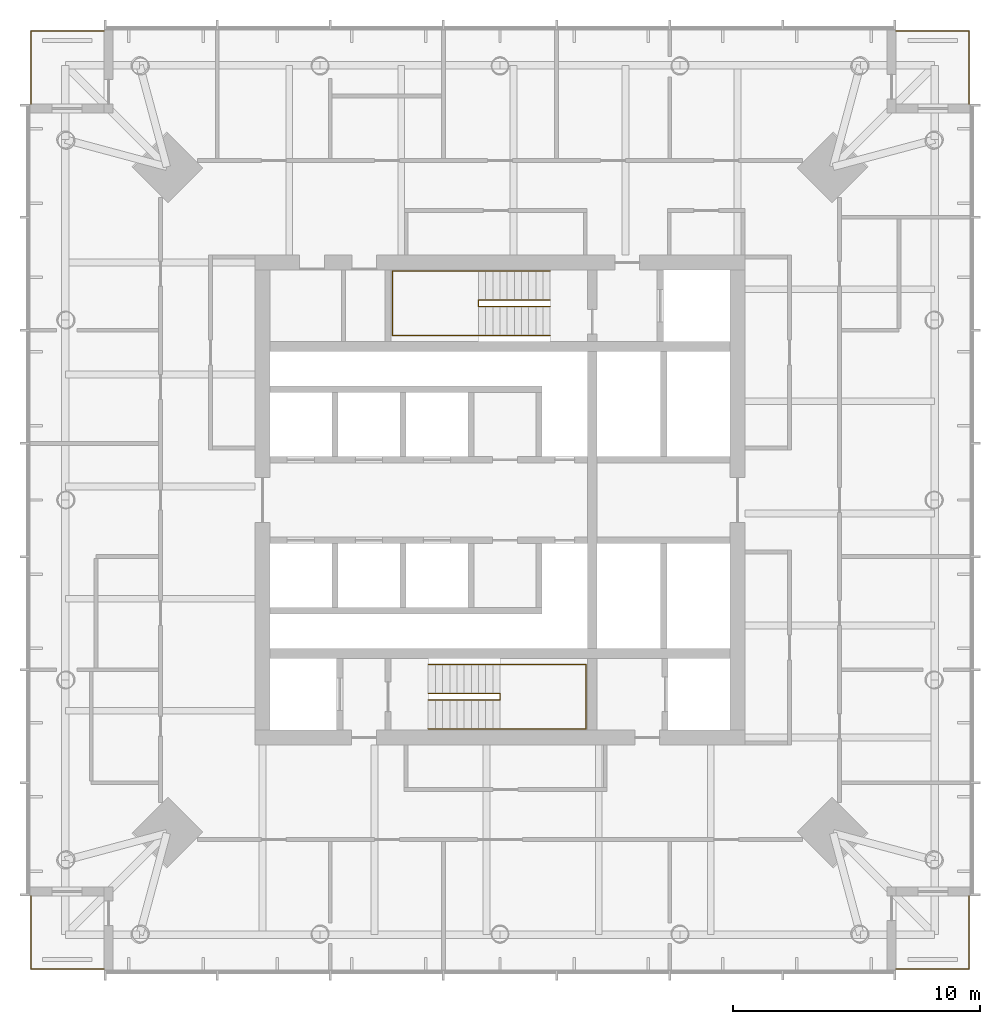
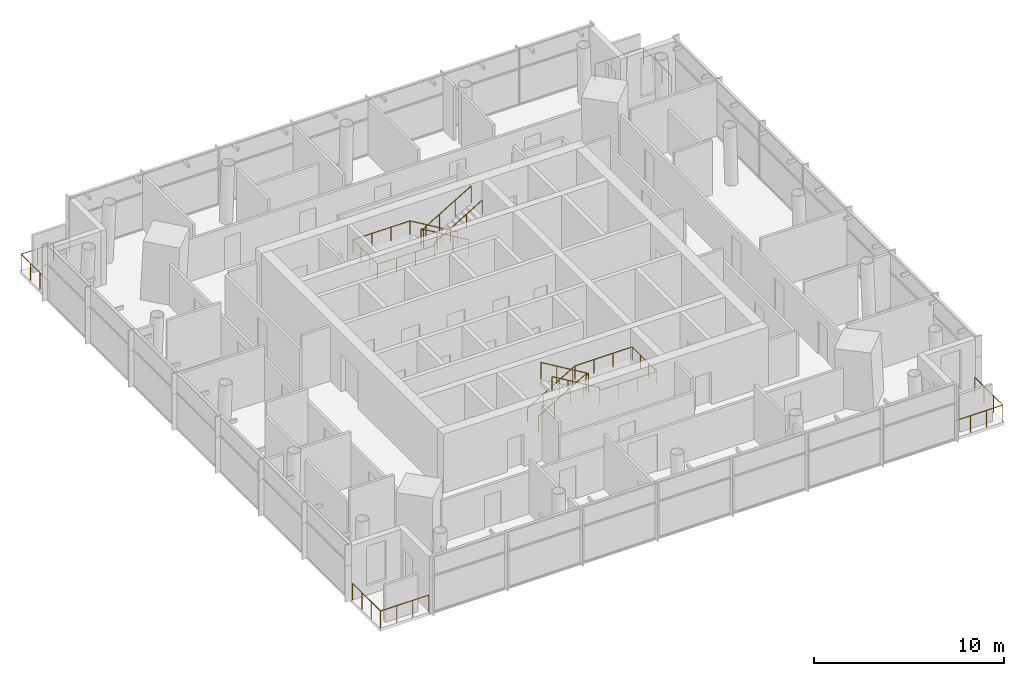
# One storey, part 10 of 10: 8 railings.
"""IFC4 building model written with IfcOpenShell, lengths in metres."""

from ifc_helpers import new_model, si_unit, direction, frame, origin, origin_2d, place, context, subcontext, project, spatial, circle, extrude, material, type_object, element, save


model = new_model("IFC4")

# Units and contexts
model_context = context("Model", 3, precision=1e-05, world=origin(), true_north=direction((0.0, 1.0)))
body_context = subcontext(model_context, "Body", "Model", "MODEL_VIEW")
ifc_project = project(units=[si_unit("LENGTHUNIT", "METRE"), si_unit("AREAUNIT", "SQUARE_METRE"), si_unit("VOLUMEUNIT", "CUBIC_METRE"), si_unit("PLANEANGLEUNIT", "RADIAN"), si_unit("MASSUNIT", "GRAM", prefix="KILO")], contexts=[model_context])

# Site, building, storey
site_placement = place(None, origin())
site = spatial("IfcSite", under=ifc_project, at=site_placement, CompositionType="ELEMENT")
building_placement = place(site_placement, origin())
building = spatial("IfcBuilding", under=site, at=building_placement, Name="Ostroluk Exchange", CompositionType="ELEMENT")
storey_placement = place(building_placement, frame((0.0, 0.0, 222.39990234375)))
storey = spatial("IfcBuildingStorey", under=building, at=storey_placement, Name="L57", CompositionType="ELEMENT", Elevation=222.39990234375)

# Railings
ifc_material_1 = material(Name="Stainless steel", Category="steel")
railing_type_1 = type_object("IfcRailingType", Name="Guard 1100 stainless steel", PredefinedType="GUARDRAIL", material=ifc_material_1)
railing_1_placement = place(storey_placement, frame((61.0, 27.050048828125, 0.0)))
element("IfcRailing", 1, at=railing_1_placement, inside=storey, type_object=railing_type_1, Name="Office tower SE balcony guard L57", PredefinedType="GUARDRAIL", context=body_context, shape_type="SweptSolid", body=[
    extrude(circle(Radius=0.02392578125, at=origin_2d()), frame((0.0, 0.0, 1.076171875), z_axis=(1.0, 0.0, 0.0), x_axis=(0.0, 1.0, 0.0)), (0.0, 0.0, 1.0), 2.949951171875),
    extrude(circle(Radius=0.02392578125, at=origin_2d()), frame((2.949951171875, 0.0, 1.076171875), z_axis=(0.0, 1.0, 0.0), x_axis=(-1.0, 0.0, 0.0)), (0.0, 0.0, 1.0), 2.949951171875),
    extrude(circle(Radius=0.02099609375, at=origin_2d()), origin(), (0.0, 0.0, 1.0), 1.052001953125),
    extrude(circle(Radius=0.02099609375, at=origin_2d()), frame((0.9833984375, 0.0, 0.0)), (0.0, 0.0, 1.0), 1.052001953125),
    extrude(circle(Radius=0.02099609375, at=origin_2d()), frame((1.966552734375, 0.0, 0.0)), (0.0, 0.0, 1.0), 1.052001953125),
    extrude(circle(Radius=0.02099609375, at=origin_2d()), frame((2.949951171875, 0.0, 0.0)), (0.0, 0.0, 1.0), 1.052001953125),
    extrude(circle(Radius=0.02099609375, at=origin_2d()), frame((2.949951171875, 0.9833984375, 0.0)), (0.0, 0.0, 1.0), 1.052001953125),
    extrude(circle(Radius=0.02099609375, at=origin_2d()), frame((2.949951171875, 1.966552734375, 0.0)), (0.0, 0.0, 1.0), 1.052001953125),
    extrude(circle(Radius=0.02099609375, at=origin_2d()), frame((2.949951171875, 2.949951171875, 0.0)), (0.0, 0.0, 1.0), 1.052001953125),
])
railing_2_placement = place(storey_placement, frame((61.0, 64.949951171875, 0.0)))
element("IfcRailing", 2, at=railing_2_placement, inside=storey, type_object=railing_type_1, Name="Office tower NE balcony guard L57", PredefinedType="GUARDRAIL", context=body_context, shape_type="SweptSolid", body=[
    extrude(circle(Radius=0.02392578125, at=origin_2d()), frame((0.0, 0.0, 1.076171875), z_axis=(1.0, 0.0, 0.0), x_axis=(0.0, 1.0, 0.0)), (0.0, 0.0, 1.0), 2.949951171875),
    extrude(circle(Radius=0.02392578125, at=origin_2d()), frame((2.949951171875, 0.0, 1.076171875), z_axis=(0.0, -1.0, 0.0), x_axis=(1.0, 0.0, 0.0)), (0.0, 0.0, 1.0), 2.949951171875),
    extrude(circle(Radius=0.02099609375, at=origin_2d()), origin(), (0.0, 0.0, 1.0), 1.052001953125),
    extrude(circle(Radius=0.02099609375, at=origin_2d()), frame((0.9833984375, 0.0, 0.0)), (0.0, 0.0, 1.0), 1.052001953125),
    extrude(circle(Radius=0.02099609375, at=origin_2d()), frame((1.966552734375, 0.0, 0.0)), (0.0, 0.0, 1.0), 1.052001953125),
    extrude(circle(Radius=0.02099609375, at=origin_2d()), frame((2.949951171875, 0.0, 0.0)), (0.0, 0.0, 1.0), 1.052001953125),
    extrude(circle(Radius=0.02099609375, at=origin_2d()), frame((2.949951171875, -0.9833984375, 0.0)), (0.0, 0.0, 1.0), 1.052001953125),
    extrude(circle(Radius=0.02099609375, at=origin_2d()), frame((2.949951171875, -1.966552734375, 0.0)), (0.0, 0.0, 1.0), 1.052001953125),
    extrude(circle(Radius=0.02099609375, at=origin_2d()), frame((2.949951171875, -2.949951171875, 0.0)), (0.0, 0.0, 1.0), 1.052001953125),
])
railing_3_placement = place(storey_placement, frame((29.0, 64.949951171875, 0.0)))
element("IfcRailing", 3, at=railing_3_placement, inside=storey, type_object=railing_type_1, Name="Office tower NW balcony guard L57", PredefinedType="GUARDRAIL", context=body_context, shape_type="SweptSolid", body=[
    extrude(circle(Radius=0.02392578125, at=origin_2d()), frame((0.0, 0.0, 1.076171875), z_axis=(-1.0, 0.0, 0.0), x_axis=(0.0, -1.0, 0.0)), (0.0, 0.0, 1.0), 2.949951171875),
    extrude(circle(Radius=0.02392578125, at=origin_2d()), frame((-2.949951171875, 0.0, 1.076171875), z_axis=(0.0, -1.0, 0.0), x_axis=(1.0, 0.0, 0.0)), (0.0, 0.0, 1.0), 2.949951171875),
    extrude(circle(Radius=0.02099609375, at=origin_2d()), origin(), (0.0, 0.0, 1.0), 1.052001953125),
    extrude(circle(Radius=0.02099609375, at=origin_2d()), frame((-0.9833984375, 0.0, 0.0)), (0.0, 0.0, 1.0), 1.052001953125),
    extrude(circle(Radius=0.02099609375, at=origin_2d()), frame((-1.966552734375, 0.0, 0.0)), (0.0, 0.0, 1.0), 1.052001953125),
    extrude(circle(Radius=0.02099609375, at=origin_2d()), frame((-2.949951171875, 0.0, 0.0)), (0.0, 0.0, 1.0), 1.052001953125),
    extrude(circle(Radius=0.02099609375, at=origin_2d()), frame((-2.949951171875, -0.9833984375, 0.0)), (0.0, 0.0, 1.0), 1.052001953125),
    extrude(circle(Radius=0.02099609375, at=origin_2d()), frame((-2.949951171875, -1.966552734375, 0.0)), (0.0, 0.0, 1.0), 1.052001953125),
    extrude(circle(Radius=0.02099609375, at=origin_2d()), frame((-2.949951171875, -2.949951171875, 0.0)), (0.0, 0.0, 1.0), 1.052001953125),
])
railing_4_placement = place(storey_placement, frame((29.0, 27.050048828125, 0.0)))
element("IfcRailing", 4, at=railing_4_placement, inside=storey, type_object=railing_type_1, Name="Office tower SW balcony guard L57", PredefinedType="GUARDRAIL", context=body_context, shape_type="SweptSolid", body=[
    extrude(circle(Radius=0.02392578125, at=origin_2d()), frame((0.0, 0.0, 1.076171875), z_axis=(-1.0, 0.0, 0.0), x_axis=(0.0, -1.0, 0.0)), (0.0, 0.0, 1.0), 2.949951171875),
    extrude(circle(Radius=0.02392578125, at=origin_2d()), frame((-2.949951171875, 0.0, 1.076171875), z_axis=(0.0, 1.0, 0.0), x_axis=(-1.0, 0.0, 0.0)), (0.0, 0.0, 1.0), 2.949951171875),
    extrude(circle(Radius=0.02099609375, at=origin_2d()), origin(), (0.0, 0.0, 1.0), 1.052001953125),
    extrude(circle(Radius=0.02099609375, at=origin_2d()), frame((-0.9833984375, 0.0, 0.0)), (0.0, 0.0, 1.0), 1.052001953125),
    extrude(circle(Radius=0.02099609375, at=origin_2d()), frame((-1.966552734375, 0.0, 0.0)), (0.0, 0.0, 1.0), 1.052001953125),
    extrude(circle(Radius=0.02099609375, at=origin_2d()), frame((-2.949951171875, 0.0, 0.0)), (0.0, 0.0, 1.0), 1.052001953125),
    extrude(circle(Radius=0.02099609375, at=origin_2d()), frame((-2.949951171875, 0.9833984375, 0.0)), (0.0, 0.0, 1.0), 1.052001953125),
    extrude(circle(Radius=0.02099609375, at=origin_2d()), frame((-2.949951171875, 1.966552734375, 0.0)), (0.0, 0.0, 1.0), 1.052001953125),
    extrude(circle(Radius=0.02099609375, at=origin_2d()), frame((-2.949951171875, 2.949951171875, 0.0)), (0.0, 0.0, 1.0), 1.052001953125),
])
ifc_material_2 = material(Name="Steel S355", Category="steel")
railing_type_2 = type_object("IfcRailingType", Name="Stair guard 1100", PredefinedType="GUARDRAIL", material=ifc_material_2)
railing_5_placement = place(storey_placement, frame((42.10009765625, 38.179931640625, 0.1728515625)))
element("IfcRailing", 5, at=railing_5_placement, inside=storey, type_object=railing_type_2, Name="Stair T1-S1 guard L57", PredefinedType="GUARDRAIL", context=body_context, shape_type="SweptSolid", body=[
    extrude(circle(Radius=0.02392578125, at=origin_2d()), frame((0.0, 0.0, 1.076171875), z_axis=(0.859141464434, 0.0, 0.511738159696), x_axis=(0.0, 1.0, 0.0)), (0.0, 0.0, 1.0), 3.375244140625),
    extrude(circle(Radius=0.02392578125, at=origin_2d()), frame((2.89990234375, 0.0, 2.80322265625), z_axis=(0.0, -1.0, 0.0), x_axis=(1.0, 0.0, 0.0)), (0.0, 0.0, 1.0), 0.260009765625),
    extrude(circle(Radius=0.02392578125, at=origin_2d()), frame((2.89990234375, -0.260009765625, 2.80322265625), z_axis=(0.0, 0.0, 1.0), x_axis=(1.0, 0.0, 0.0)), (0.0, 0.0, 1.0), 0.172607421875),
    extrude(circle(Radius=0.02392578125, at=origin_2d()), frame((2.89990234375, -0.260009765625, 2.97607421875), z_axis=(-0.859141464434, 0.0, 0.511738159696), x_axis=(0.0, -1.0, 0.0)), (0.0, 0.0, 1.0), 3.375244140625),
    extrude(circle(Radius=0.02099609375, at=origin_2d()), origin(), (0.0, 0.0, 1.0), 1.052001953125),
    extrude(circle(Radius=0.02099609375, at=origin_2d()), frame((0.966552734375, 0.0, 0.57568359375)), (0.0, 0.0, 1.0), 1.052001953125),
    extrude(circle(Radius=0.02099609375, at=origin_2d()), frame((1.933349609375, 0.0, 1.151611328125)), (0.0, 0.0, 1.0), 1.052001953125),
    extrude(circle(Radius=0.02099609375, at=origin_2d()), frame((2.89990234375, 0.0, 1.727294921875)), (0.0, 0.0, 1.0), 1.052001953125),
    extrude(circle(Radius=0.02099609375, at=origin_2d()), frame((2.89990234375, -0.260009765625, 1.727294921875)), (0.0, 0.0, 1.0), 1.052001953125),
    extrude(circle(Radius=0.02099609375, at=origin_2d()), frame((2.89990234375, -0.260009765625, 1.89990234375)), (0.0, 0.0, 1.0), 1.052001953125),
    extrude(circle(Radius=0.02099609375, at=origin_2d()), frame((1.933349609375, -0.260009765625, 2.4755859375)), (0.0, 0.0, 1.0), 1.052001953125),
    extrude(circle(Radius=0.02099609375, at=origin_2d()), frame((0.966552734375, -0.260009765625, 3.051513671875)), (0.0, 0.0, 1.0), 1.052001953125),
    extrude(circle(Radius=0.02099609375, at=origin_2d()), frame((0.0, -0.260009765625, 3.627197265625)), (0.0, 0.0, 1.0), 1.052001953125),
])
railing_6_placement = place(storey_placement, frame((47.030029296875, 54.080078125, 0.1728515625)))
element("IfcRailing", 6, at=railing_6_placement, inside=storey, type_object=railing_type_2, Name="Stair T1-S2 guard L57", PredefinedType="GUARDRAIL", context=body_context, shape_type="SweptSolid", body=[
    extrude(circle(Radius=0.02392578125, at=origin_2d()), frame((0.0, 0.0, 1.076171875), z_axis=(-0.859160404282, 0.0, 0.51170636083), x_axis=(0.0, -1.0, 0.0)), (0.0, 0.0, 1.0), 3.37548828125),
    extrude(circle(Radius=0.02392578125, at=origin_2d()), frame((-2.900146484375, 0.0, 2.80322265625), z_axis=(0.0, -1.0, 0.0), x_axis=(1.0, 0.0, 0.0)), (0.0, 0.0, 1.0), 0.260009765625),
    extrude(circle(Radius=0.02392578125, at=origin_2d()), frame((-2.900146484375, -0.260009765625, 2.80322265625), z_axis=(0.0, 0.0, 1.0), x_axis=(1.0, 0.0, 0.0)), (0.0, 0.0, 1.0), 0.172607421875),
    extrude(circle(Radius=0.02392578125, at=origin_2d()), frame((-2.900146484375, -0.260009765625, 2.97607421875), z_axis=(0.859160404282, 0.0, 0.51170636083), x_axis=(0.0, 1.0, 0.0)), (0.0, 0.0, 1.0), 3.37548828125),
    extrude(circle(Radius=0.02099609375, at=origin_2d()), origin(), (0.0, 0.0, 1.0), 1.052001953125),
    extrude(circle(Radius=0.02099609375, at=origin_2d()), frame((-0.966796875, 0.0, 0.57568359375)), (0.0, 0.0, 1.0), 1.052001953125),
    extrude(circle(Radius=0.02099609375, at=origin_2d()), frame((-1.933349609375, 0.0, 1.151611328125)), (0.0, 0.0, 1.0), 1.052001953125),
    extrude(circle(Radius=0.02099609375, at=origin_2d()), frame((-2.900146484375, 0.0, 1.727294921875)), (0.0, 0.0, 1.0), 1.052001953125),
    extrude(circle(Radius=0.02099609375, at=origin_2d()), frame((-2.900146484375, -0.260009765625, 1.727294921875)), (0.0, 0.0, 1.0), 1.052001953125),
    extrude(circle(Radius=0.02099609375, at=origin_2d()), frame((-2.900146484375, -0.260009765625, 1.89990234375)), (0.0, 0.0, 1.0), 1.052001953125),
    extrude(circle(Radius=0.02099609375, at=origin_2d()), frame((-1.933349609375, -0.260009765625, 2.4755859375)), (0.0, 0.0, 1.0), 1.052001953125),
    extrude(circle(Radius=0.02099609375, at=origin_2d()), frame((-0.966796875, -0.260009765625, 3.051513671875)), (0.0, 0.0, 1.0), 1.052001953125),
    extrude(circle(Radius=0.02099609375, at=origin_2d()), frame((0.0, -0.260009765625, 3.627197265625)), (0.0, 0.0, 1.0), 1.052001953125),
])
ifc_material_3 = material(Name="Stainless steel", Category="steel")
railing_type_3 = type_object("IfcRailingType", Name="Stair handrail 900", PredefinedType="HANDRAIL", material=ifc_material_3)
railing_7_placement = place(storey_placement, frame((42.10009765625, 39.35009765625, 0.1728515625)))
element("IfcRailing", 7, at=railing_7_placement, inside=storey, type_object=railing_type_3, Name="Stair T1-S1 handrail L57", PredefinedType="HANDRAIL", context=body_context, shape_type="SweptSolid", body=[
    extrude(circle(Radius=0.02392578125, at=origin_2d()), frame((0.0, 0.0, 0.8759765625), z_axis=(0.859141464434, 0.0, 0.511738159696), x_axis=(0.0, 1.0, 0.0)), (0.0, 0.0, 1.0), 3.375244140625),
    extrude(circle(Radius=0.02392578125, at=origin_2d()), frame((2.89990234375, 0.0, 2.60302734375), z_axis=(1.0, 0.0, 0.0), x_axis=(0.0, 1.0, 0.0)), (0.0, 0.0, 1.0), 3.47998046875),
    extrude(circle(Radius=0.02392578125, at=origin_2d()), frame((6.3798828125, 0.0, 2.60302734375), z_axis=(0.0, -1.0, 0.0), x_axis=(1.0, 0.0, 0.0)), (0.0, 0.0, 1.0), 2.60009765625),
    extrude(circle(Radius=0.02392578125, at=origin_2d()), frame((6.3798828125, -2.60009765625, 2.60302734375), z_axis=(-1.0, 0.0, 0.0), x_axis=(0.0, -1.0, 0.0)), (0.0, 0.0, 1.0), 3.47998046875),
    extrude(circle(Radius=0.02392578125, at=origin_2d()), frame((2.89990234375, -2.60009765625, 2.60302734375), z_axis=(0.0, 0.0, 1.0), x_axis=(1.0, 0.0, 0.0)), (0.0, 0.0, 1.0), 0.172607421875),
    extrude(circle(Radius=0.02392578125, at=origin_2d()), frame((2.89990234375, -2.60009765625, 2.77587890625), z_axis=(-0.859141464434, 0.0, 0.511738159696), x_axis=(0.0, -1.0, 0.0)), (0.0, 0.0, 1.0), 3.375244140625),
    extrude(circle(Radius=0.02099609375, at=origin_2d()), origin(), (0.0, 0.0, 1.0), 0.851806640625),
    extrude(circle(Radius=0.02099609375, at=origin_2d()), frame((0.966552734375, 0.0, 0.57568359375)), (0.0, 0.0, 1.0), 0.851806640625),
    extrude(circle(Radius=0.02099609375, at=origin_2d()), frame((1.933349609375, 0.0, 1.151611328125)), (0.0, 0.0, 1.0), 0.851806640625),
    extrude(circle(Radius=0.02099609375, at=origin_2d()), frame((2.89990234375, 0.0, 1.727294921875)), (0.0, 0.0, 1.0), 0.851806640625),
    extrude(circle(Radius=0.02099609375, at=origin_2d()), frame((4.059814453125, 0.0, 1.727294921875)), (0.0, 0.0, 1.0), 0.851806640625),
    extrude(circle(Radius=0.02099609375, at=origin_2d()), frame((5.219970703125, 0.0, 1.727294921875)), (0.0, 0.0, 1.0), 0.851806640625),
    extrude(circle(Radius=0.02099609375, at=origin_2d()), frame((6.3798828125, 0.0, 1.727294921875)), (0.0, 0.0, 1.0), 0.851806640625),
    extrude(circle(Radius=0.02099609375, at=origin_2d()), frame((6.3798828125, -0.86669921875, 1.727294921875)), (0.0, 0.0, 1.0), 0.851806640625),
    extrude(circle(Radius=0.02099609375, at=origin_2d()), frame((6.3798828125, -1.7333984375, 1.727294921875)), (0.0, 0.0, 1.0), 0.851806640625),
    extrude(circle(Radius=0.02099609375, at=origin_2d()), frame((6.3798828125, -2.60009765625, 1.727294921875)), (0.0, 0.0, 1.0), 0.851806640625),
    extrude(circle(Radius=0.02099609375, at=origin_2d()), frame((5.219970703125, -2.60009765625, 1.727294921875)), (0.0, 0.0, 1.0), 0.851806640625),
    extrude(circle(Radius=0.02099609375, at=origin_2d()), frame((4.059814453125, -2.60009765625, 1.727294921875)), (0.0, 0.0, 1.0), 0.851806640625),
    extrude(circle(Radius=0.02099609375, at=origin_2d()), frame((2.89990234375, -2.60009765625, 1.727294921875)), (0.0, 0.0, 1.0), 0.851806640625),
    extrude(circle(Radius=0.02099609375, at=origin_2d()), frame((2.89990234375, -2.60009765625, 1.89990234375)), (0.0, 0.0, 1.0), 0.851806640625),
    extrude(circle(Radius=0.02099609375, at=origin_2d()), frame((1.933349609375, -2.60009765625, 2.4755859375)), (0.0, 0.0, 1.0), 0.851806640625),
    extrude(circle(Radius=0.02099609375, at=origin_2d()), frame((0.966552734375, -2.60009765625, 3.051513671875)), (0.0, 0.0, 1.0), 0.851806640625),
    extrude(circle(Radius=0.02099609375, at=origin_2d()), frame((0.0, -2.60009765625, 3.627197265625)), (0.0, 0.0, 1.0), 0.851806640625),
])
railing_8_placement = place(storey_placement, frame((47.030029296875, 55.25, 0.1728515625)))
element("IfcRailing", 8, at=railing_8_placement, inside=storey, type_object=railing_type_3, Name="Stair T1-S2 handrail L57", PredefinedType="HANDRAIL", context=body_context, shape_type="SweptSolid", body=[
    extrude(circle(Radius=0.02392578125, at=origin_2d()), frame((0.0, 0.0, 0.8759765625), z_axis=(-0.859160404282, 0.0, 0.51170636083), x_axis=(0.0, -1.0, 0.0)), (0.0, 0.0, 1.0), 3.37548828125),
    extrude(circle(Radius=0.02392578125, at=origin_2d()), frame((-2.900146484375, 0.0, 2.60302734375), z_axis=(-1.0, 0.0, 0.0), x_axis=(0.0, -1.0, 0.0)), (0.0, 0.0, 1.0), 3.47998046875),
    extrude(circle(Radius=0.02392578125, at=origin_2d()), frame((-6.380126953125, 0.0, 2.60302734375), z_axis=(0.0, -1.0, 0.0), x_axis=(1.0, 0.0, 0.0)), (0.0, 0.0, 1.0), 2.60009765625),
    extrude(circle(Radius=0.02392578125, at=origin_2d()), frame((-6.380126953125, -2.60009765625, 2.60302734375), z_axis=(1.0, 0.0, 0.0), x_axis=(0.0, 1.0, 0.0)), (0.0, 0.0, 1.0), 3.47998046875),
    extrude(circle(Radius=0.02392578125, at=origin_2d()), frame((-2.900146484375, -2.60009765625, 2.60302734375), z_axis=(0.0, 0.0, 1.0), x_axis=(1.0, 0.0, 0.0)), (0.0, 0.0, 1.0), 0.172607421875),
    extrude(circle(Radius=0.02392578125, at=origin_2d()), frame((-2.900146484375, -2.60009765625, 2.77587890625), z_axis=(0.859160404282, 0.0, 0.51170636083), x_axis=(0.0, 1.0, 0.0)), (0.0, 0.0, 1.0), 3.37548828125),
    extrude(circle(Radius=0.02099609375, at=origin_2d()), origin(), (0.0, 0.0, 1.0), 0.851806640625),
    extrude(circle(Radius=0.02099609375, at=origin_2d()), frame((-0.966796875, 0.0, 0.57568359375)), (0.0, 0.0, 1.0), 0.851806640625),
    extrude(circle(Radius=0.02099609375, at=origin_2d()), frame((-1.933349609375, 0.0, 1.151611328125)), (0.0, 0.0, 1.0), 0.851806640625),
    extrude(circle(Radius=0.02099609375, at=origin_2d()), frame((-2.900146484375, 0.0, 1.727294921875)), (0.0, 0.0, 1.0), 0.851806640625),
    extrude(circle(Radius=0.02099609375, at=origin_2d()), frame((-4.06005859375, 0.0, 1.727294921875)), (0.0, 0.0, 1.0), 0.851806640625),
    extrude(circle(Radius=0.02099609375, at=origin_2d()), frame((-5.22021484375, 0.0, 1.727294921875)), (0.0, 0.0, 1.0), 0.851806640625),
    extrude(circle(Radius=0.02099609375, at=origin_2d()), frame((-6.380126953125, 0.0, 1.727294921875)), (0.0, 0.0, 1.0), 0.851806640625),
    extrude(circle(Radius=0.02099609375, at=origin_2d()), frame((-6.380126953125, -0.86669921875, 1.727294921875)), (0.0, 0.0, 1.0), 0.851806640625),
    extrude(circle(Radius=0.02099609375, at=origin_2d()), frame((-6.380126953125, -1.7333984375, 1.727294921875)), (0.0, 0.0, 1.0), 0.851806640625),
    extrude(circle(Radius=0.02099609375, at=origin_2d()), frame((-6.380126953125, -2.60009765625, 1.727294921875)), (0.0, 0.0, 1.0), 0.851806640625),
    extrude(circle(Radius=0.02099609375, at=origin_2d()), frame((-5.22021484375, -2.60009765625, 1.727294921875)), (0.0, 0.0, 1.0), 0.851806640625),
    extrude(circle(Radius=0.02099609375, at=origin_2d()), frame((-4.06005859375, -2.60009765625, 1.727294921875)), (0.0, 0.0, 1.0), 0.851806640625),
    extrude(circle(Radius=0.02099609375, at=origin_2d()), frame((-2.900146484375, -2.60009765625, 1.727294921875)), (0.0, 0.0, 1.0), 0.851806640625),
    extrude(circle(Radius=0.02099609375, at=origin_2d()), frame((-2.900146484375, -2.60009765625, 1.89990234375)), (0.0, 0.0, 1.0), 0.851806640625),
    extrude(circle(Radius=0.02099609375, at=origin_2d()), frame((-1.933349609375, -2.60009765625, 2.4755859375)), (0.0, 0.0, 1.0), 0.851806640625),
    extrude(circle(Radius=0.02099609375, at=origin_2d()), frame((-0.966796875, -2.60009765625, 3.051513671875)), (0.0, 0.0, 1.0), 0.851806640625),
    extrude(circle(Radius=0.02099609375, at=origin_2d()), frame((0.0, -2.60009765625, 3.627197265625)), (0.0, 0.0, 1.0), 0.851806640625),
])

save(model, "model.ifc")
